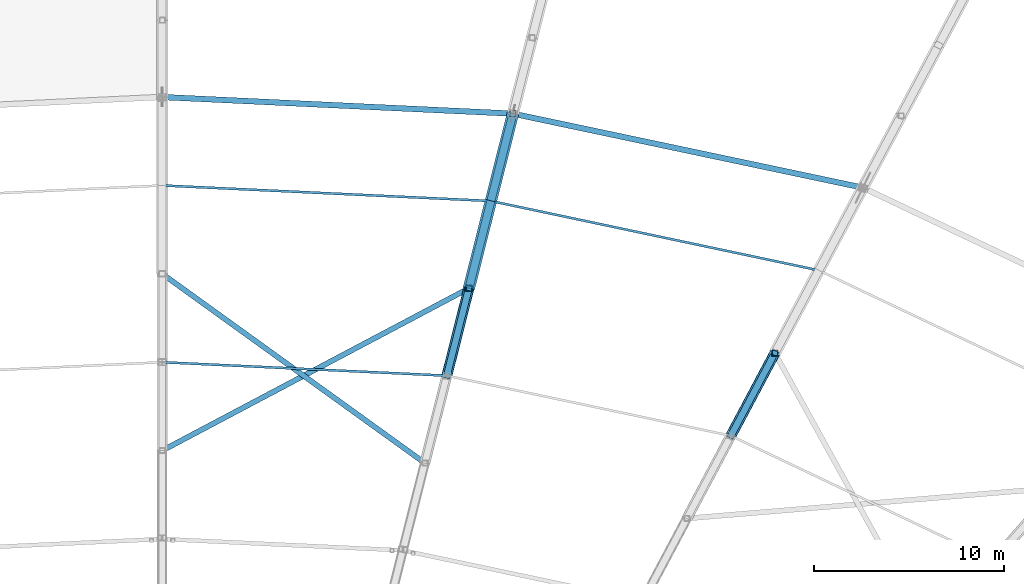
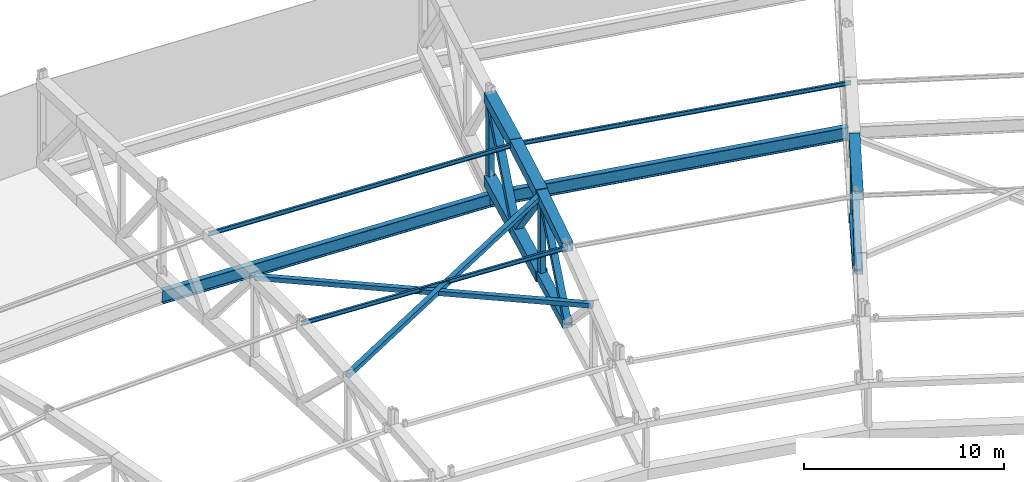
# One storey, part 80 of 162: 20 members, 2 beams.
"""IFC4 building model written with IfcOpenShell, lengths in metres."""

from ifc_helpers import new_model, si_unit, direction, frame, origin, origin_2d, place, context, subcontext, project, spatial, hollow_rectangle, i_section, extrude, material, material_profile, profile_set, type_object, element, save


model = new_model("IFC4")

# Units and contexts
model_context = context("Model", 3, precision=1e-05, world=origin(), true_north=direction((0.0, 1.0)))
body_context = subcontext(model_context, "Body", "Model", "MODEL_VIEW")
ifc_project = project(units=[si_unit("LENGTHUNIT", "METRE"), si_unit("AREAUNIT", "SQUARE_METRE"), si_unit("VOLUMEUNIT", "CUBIC_METRE"), si_unit("PLANEANGLEUNIT", "RADIAN"), si_unit("MASSUNIT", "GRAM", prefix="KILO")], contexts=[model_context])

# Site, building, storey
site_placement = place(None, origin())
site = spatial("IfcSite", under=ifc_project, at=site_placement, CompositionType="ELEMENT")
building_placement = place(site_placement, origin())
building = spatial("IfcBuilding", under=site, at=building_placement, Name="Kazemori Nagisa Stadium", CompositionType="ELEMENT")
storey_placement = place(building_placement, frame((0.0, 0.0, 36.719970703125)))
storey = spatial("IfcBuildingStorey", under=building, at=storey_placement, Name="RF", CompositionType="ELEMENT", Elevation=36.719970703125)

# Beams
ifc_material_1 = material(Name="Steel SN490B", Category="steel")
ifc_material_profile_1 = material_profile(ifc_material_1, i_section(OverallWidth=0.300048828125, OverallDepth=0.800048828125, WebThickness=0.013916015625, FlangeThickness=0.02587890625, FilletRadius=0.01806640625, at=origin_2d()), Name="H-800x300x14x26")
ifc_profile_set_1 = profile_set([ifc_material_profile_1], Name="Steel SN490B")
beam_type = type_object("IfcBeamType", Name="Beam_BG-H800", PredefinedType="BEAM", material=ifc_profile_set_1)
beam_1_placement = place(storey_placement, frame((159.81201171875, 171.19921875, -0.679931640625), z_axis=(-0.978345149833, 0.206980114499, 0.0), x_axis=(-0.206980114499, -0.978345149833, 0.0)))
element("IfcBeam", 1, at=beam_1_placement, inside=storey, type_object=beam_type, Name="Ring girder BG-H800 RF R2-06", PredefinedType="BEAM", context=body_context, shape_type="SweptSolid", body=[
    extrude(i_section(OverallWidth=0.300048828125, OverallDepth=0.800048828125, WebThickness=0.013916015625, FlangeThickness=0.02587890625, FilletRadius=0.01806640625, at=origin_2d()), origin(), (0.0, 0.0, 1.0), 18.791259765625),
])
beam_2_placement = place(storey_placement, frame((141.427734375, 175.088623046875, -0.679931640625), z_axis=(-0.9988839804, 0.047231278829, 0.0), x_axis=(-0.047231278829, -0.9988839804, 0.0)))
element("IfcBeam", 2, at=beam_2_placement, inside=storey, type_object=beam_type, Name="Ring girder BG-H800 RF R2-07", PredefinedType="BEAM", context=body_context, shape_type="SweptSolid", body=[
    extrude(i_section(OverallWidth=0.300048828125, OverallDepth=0.800048828125, WebThickness=0.013916015625, FlangeThickness=0.02587890625, FilletRadius=0.01806640625, at=origin_2d()), origin(), (0.0, 0.0, 1.0), 18.4482421875),
])

# Members
ifc_material_2 = material(Name="Steel STKR490", Category="steel")
ifc_material_profile_2 = material_profile(ifc_material_2, hollow_rectangle(XDim=0.280029296875, YDim=0.280029296875, WallThickness=0.010009765625, at=origin_2d()), Name="SHS-280x280x10")
ifc_profile_set_2 = profile_set([ifc_material_profile_2], Name="Steel STKR490")
member_type_1 = type_object("IfcMemberType", Name="Member_TB-SHS280", PredefinedType="BRACE", material=ifc_profile_set_2)
member_1_placement = place(storey_placement, frame((139.113525390625, 165.91015625, 6.008056640625), z_axis=(-0.883822347635, -0.467655457439, -0.01250723584), x_axis=(0.467692039625, -0.88389148433, 0.0)))
element("IfcMember", 3, at=member_1_placement, inside=storey, type_object=member_type_1, Name="Roof space truss plan brace B07-1", PredefinedType="BRACE", context=body_context, shape_type="SweptSolid", body=[
    extrude(hollow_rectangle(XDim=0.280029296875, YDim=0.280029296875, WallThickness=0.010009765625, at=origin_2d()), origin(), (0.0, 0.0, 1.0), 18.231689453125),
])
member_2_placement = place(storey_placement, frame((123.0, 166.672119140625, 6.130126953125), z_axis=(0.811031246513, -0.584246121232, -0.029745369485), x_axis=(0.584504759562, 0.811390279735, 0.0)))
element("IfcMember", 4, at=member_2_placement, inside=storey, type_object=member_type_1, Name="Roof space truss plan brace B07-2", PredefinedType="BRACE", context=body_context, shape_type="SweptSolid", body=[
    extrude(hollow_rectangle(XDim=0.280029296875, YDim=0.280029296875, WallThickness=0.010009765625, at=origin_2d()), origin(), (0.0, 0.0, 1.0), 17.0146484375),
])
ifc_material_profile_3 = material_profile(ifc_material_2, hollow_rectangle(XDim=0.360107421875, YDim=0.360107421875, WallThickness=0.013916015625, at=origin_2d()), Name="SHS-360x360x14")
ifc_profile_set_3 = profile_set([ifc_material_profile_3], Name="Steel STKR490")
member_type_2 = type_object("IfcMemberType", Name="Member_TB-SHS360", PredefinedType="BRACE", material=ifc_profile_set_3)
member_3_placement = place(storey_placement, frame((155.189208984375, 162.509033203125, 5.89111328125), z_axis=(-0.341008075506, -0.640992893936, -0.687634788505), x_axis=(0.88284131776, -0.469671382624, 0.0)))
element("IfcMember", 5, at=member_3_placement, inside=storey, type_object=member_type_2, Name="Roof space truss diagonal RT-06-6", PredefinedType="BRACE", context=body_context, shape_type="SweptSolid", body=[
    extrude(hollow_rectangle(XDim=0.360107421875, YDim=0.360107421875, WallThickness=0.013916015625, at=origin_2d()), origin(), (0.0, 0.0, 1.0), 6.778564453125),
])
member_4_placement = place(storey_placement, frame((139.113525390625, 165.91015625, 6.008056640625), z_axis=(-0.173180692413, -0.686948861781, -0.705768877943), x_axis=(0.969661184378, -0.244452832895, 0.0)))
element("IfcMember", 6, at=member_4_placement, inside=storey, type_object=member_type_2, Name="Roof space truss diagonal RT-07-6", PredefinedType="BRACE", context=body_context, shape_type="SweptSolid", body=[
    extrude(hollow_rectangle(XDim=0.360107421875, YDim=0.360107421875, WallThickness=0.013916015625, at=origin_2d()), origin(), (0.0, 0.0, 1.0), 6.6806640625),
])
ifc_material_profile_4 = material_profile(ifc_material_2, hollow_rectangle(XDim=0.419921875, YDim=0.419921875, WallThickness=0.01611328125, at=origin_2d()), Name="SHS-420x420x16")
ifc_profile_set_4 = profile_set([ifc_material_profile_4], Name="Steel STKR490")
member_type_3 = type_object("IfcMemberType", Name="Member_TB-SHS420", PredefinedType="BRACE", material=ifc_profile_set_4)
member_5_placement = place(storey_placement, frame((141.427734375, 175.088623046875, 5.56005859375), z_axis=(-0.17123542147, -0.679232634056, -0.713667611194), x_axis=(0.969661184378, -0.244452832895, 0.0)))
element("IfcMember", 7, at=member_5_placement, inside=storey, type_object=member_type_3, Name="Roof space truss diagonal RT-07-4", PredefinedType="BRACE", context=body_context, shape_type="SweptSolid", body=[
    extrude(hollow_rectangle(XDim=0.419921875, YDim=0.419921875, WallThickness=0.01611328125, at=origin_2d()), origin(), (0.0, 0.0, 1.0), 6.756591796875),
])
member_6_placement = place(storey_placement, frame((140.270751953125, 170.499267578125, 0.738037109375), z_axis=(-0.163375423461, -0.647883509451, 0.744013057137), x_axis=(0.969645872336, -0.24451356253, 0.0)))
element("IfcMember", 8, at=member_6_placement, inside=storey, type_object=member_type_3, Name="Roof space truss diagonal RT-07-5", PredefinedType="BRACE", context=body_context, shape_type="SweptSolid", body=[
    extrude(hollow_rectangle(XDim=0.419921875, YDim=0.419921875, WallThickness=0.01611328125, at=origin_2d()), origin(), (0.0, 0.0, 1.0), 7.083251953125),
])
ifc_material_profile_5 = material_profile(ifc_material_2, hollow_rectangle(XDim=0.52001953125, YDim=0.52001953125, WallThickness=0.01904296875, at=origin_2d()), Name="SHS-520x520x19")
ifc_profile_set_5 = profile_set([ifc_material_profile_5], Name="Steel STKR490")
member_type_4 = type_object("IfcMemberType", Name="Member_TC-SHS520", PredefinedType="CHORD", material=ifc_profile_set_5)
member_7_placement = place(storey_placement, frame((155.189208984375, 162.509033203125, 0.97314453125), z_axis=(-0.469033146565, -0.881641625414, 0.052114794063), x_axis=(0.88284131776, -0.469671382624, 0.0)))
element("IfcMember", 9, at=member_7_placement, inside=storey, type_object=member_type_4, Name="Roof space truss bottom chord RT-06-6", PredefinedType="CHORD", context=body_context, shape_type="SweptSolid", body=[
    extrude(hollow_rectangle(XDim=0.52001953125, YDim=0.52001953125, WallThickness=0.01904296875, at=origin_2d()), origin(), (0.0, 0.0, 1.0), 4.92822265625),
])
member_8_placement = place(storey_placement, frame((139.113525390625, 165.91015625, 1.01513671875), z_axis=(-0.244032739643, -0.967994817433, 0.058600814035), x_axis=(0.969661184378, -0.244452832895, 0.0)))
element("IfcMember", 10, at=member_8_placement, inside=storey, type_object=member_type_4, Name="Roof space truss bottom chord RT-07-6", PredefinedType="CHORD", context=body_context, shape_type="SweptSolid", body=[
    extrude(hollow_rectangle(XDim=0.52001953125, YDim=0.52001953125, WallThickness=0.01904296875, at=origin_2d()), origin(), (0.0, 0.0, 1.0), 4.7412109375),
])
ifc_material_profile_6 = material_profile(ifc_material_2, hollow_rectangle(XDim=0.56005859375, YDim=0.56005859375, WallThickness=0.02001953125, at=origin_2d()), Name="SHS-560x560x20")
ifc_profile_set_6 = profile_set([ifc_material_profile_6], Name="Steel STKR490")
member_type_5 = type_object("IfcMemberType", Name="Member_TC-SHS560", PredefinedType="CHORD", material=ifc_profile_set_6)
member_9_placement = place(storey_placement, frame((155.189208984375, 162.509033203125, 5.89111328125), z_axis=(-0.469572368047, -0.882655200057, -0.020532632063), x_axis=(0.88284131776, -0.469671382624, 0.0)))
element("IfcMember", 11, at=member_9_placement, inside=storey, type_object=member_type_5, Name="Roof space truss top chord RT-06-6", PredefinedType="CHORD", context=body_context, shape_type="SweptSolid", body=[
    extrude(hollow_rectangle(XDim=0.56005859375, YDim=0.56005859375, WallThickness=0.02001953125, at=origin_2d()), origin(), (0.0, 0.0, 1.0), 4.922607421875),
])
member_10_placement = place(storey_placement, frame((139.113525390625, 165.91015625, 6.008056640625), z_axis=(-0.244430511317, -0.969572642273, -0.01351356699), x_axis=(0.969661184378, -0.244452832895, 0.0)))
element("IfcMember", 12, at=member_10_placement, inside=storey, type_object=member_type_5, Name="Roof space truss top chord RT-07-6", PredefinedType="CHORD", context=body_context, shape_type="SweptSolid", body=[
    extrude(hollow_rectangle(XDim=0.56005859375, YDim=0.56005859375, WallThickness=0.02001953125, at=origin_2d()), origin(), (0.0, 0.0, 1.0), 4.7333984375),
])
ifc_material_profile_7 = material_profile(ifc_material_2, hollow_rectangle(XDim=0.6201171875, YDim=0.6201171875, WallThickness=0.02197265625, at=origin_2d()), Name="SHS-620x620x22")
ifc_profile_set_7 = profile_set([ifc_material_profile_7], Name="Steel STKR490")
member_type_6 = type_object("IfcMemberType", Name="Member_TC-SHS620", PredefinedType="CHORD", material=ifc_profile_set_7)
member_11_placement = place(storey_placement, frame((141.427734375, 175.088623046875, 5.56005859375), z_axis=(-0.243953496633, -0.967680487385, 0.063884002811), x_axis=(0.969661184378, -0.244452832895, 0.0)))
element("IfcMember", 13, at=member_11_placement, inside=storey, type_object=member_type_6, Name="Roof space truss top chord RT-07-4", PredefinedType="CHORD", context=body_context, shape_type="SweptSolid", body=[
    extrude(hollow_rectangle(XDim=0.6201171875, YDim=0.6201171875, WallThickness=0.02197265625, at=origin_2d()), origin(), (0.0, 0.0, 1.0), 4.74267578125),
])
member_12_placement = place(storey_placement, frame((141.427734375, 175.088623046875, 0.47998046875), z_axis=(-0.244090285494, -0.968223082235, 0.054442589527), x_axis=(0.969661184378, -0.244452832895, 0.0)))
element("IfcMember", 14, at=member_12_placement, inside=storey, type_object=member_type_6, Name="Roof space truss bottom chord RT-07-4", PredefinedType="CHORD", context=body_context, shape_type="SweptSolid", body=[
    extrude(hollow_rectangle(XDim=0.6201171875, YDim=0.6201171875, WallThickness=0.02197265625, at=origin_2d()), origin(), (0.0, 0.0, 1.0), 4.739990234375),
])
member_13_placement = place(storey_placement, frame((140.270751953125, 170.499267578125, 5.863037109375), z_axis=(-0.244398855673, -0.969190989468, 0.030627198369), x_axis=(0.969645872336, -0.24451356253, 0.0)))
element("IfcMember", 15, at=member_13_placement, inside=storey, type_object=member_type_6, Name="Roof space truss top chord RT-07-5", PredefinedType="CHORD", context=body_context, shape_type="SweptSolid", body=[
    extrude(hollow_rectangle(XDim=0.6201171875, YDim=0.6201171875, WallThickness=0.02197265625, at=origin_2d()), origin(), (0.0, 0.0, 1.0), 4.735107421875),
])
member_14_placement = place(storey_placement, frame((140.270751953125, 170.499267578125, 0.738037109375), z_axis=(-0.244095540584, -0.967988159567, 0.058449037671), x_axis=(0.969645872336, -0.24451356253, 0.0)))
element("IfcMember", 16, at=member_14_placement, inside=storey, type_object=member_type_6, Name="Roof space truss bottom chord RT-07-5", PredefinedType="CHORD", context=body_context, shape_type="SweptSolid", body=[
    extrude(hollow_rectangle(XDim=0.6201171875, YDim=0.6201171875, WallThickness=0.02197265625, at=origin_2d()), origin(), (0.0, 0.0, 1.0), 4.740966796875),
])
ifc_material_profile_8 = material_profile(ifc_material_1, i_section(OverallWidth=0.125, OverallDepth=0.25, WebThickness=0.006103515625, FlangeThickness=0.009033203125, FilletRadius=0.008056640625, at=origin_2d()), Name="H-250x125x6x9")
ifc_profile_set_8 = profile_set([ifc_material_profile_8], Name="Steel SN490B")
member_type_7 = type_object("IfcMemberType", Name="Member_TP-H250", PredefinedType="PURLIN", material=ifc_profile_set_8)
member_15_placement = place(storey_placement, frame((157.50048828125, 166.854248046875, 5.800048828125), z_axis=(-0.978340368603, 0.206971812212, 0.003576605998), x_axis=(-0.206973136028, -0.978346626183, 0.0)))
element("IfcMember", 17, at=member_15_placement, inside=storey, type_object=member_type_7, Name="Roof purlin TP-H250 B06-P4", PredefinedType="PURLIN", context=body_context, shape_type="SweptSolid", body=[
    extrude(i_section(OverallWidth=0.125, OverallDepth=0.25, WebThickness=0.006103515625, FlangeThickness=0.009033203125, FilletRadius=0.008056640625, at=origin_2d()), origin(), (0.0, 0.0, 1.0), 17.611083984375),
])
member_16_placement = place(storey_placement, frame((140.270751953125, 170.499267578125, 5.863037109375), z_axis=(-0.998876451706, 0.047232039849, 0.003868932412), x_axis=(-0.047232393353, -0.9988839277, 0.0)))
element("IfcMember", 18, at=member_16_placement, inside=storey, type_object=member_type_7, Name="Roof purlin TP-H250 B07-P4", PredefinedType="PURLIN", context=body_context, shape_type="SweptSolid", body=[
    extrude(i_section(OverallWidth=0.125, OverallDepth=0.25, WebThickness=0.006103515625, FlangeThickness=0.009033203125, FilletRadius=0.008056640625, at=origin_2d()), origin(), (0.0, 0.0, 1.0), 17.290283203125),
])
member_17_placement = place(storey_placement, frame((137.95654296875, 161.32080078125, 5.944091796875), z_axis=(-0.998826102637, 0.047233182386, 0.010744448461), x_axis=(-0.047235908996, -0.998883761456, 0.0)))
element("IfcMember", 19, at=member_17_placement, inside=storey, type_object=member_type_7, Name="Roof purlin TP-H250 B07-P6", PredefinedType="PURLIN", context=body_context, shape_type="SweptSolid", body=[
    extrude(i_section(OverallWidth=0.125, OverallDepth=0.25, WebThickness=0.006103515625, FlangeThickness=0.009033203125, FilletRadius=0.008056640625, at=origin_2d()), origin(), (0.0, 0.0, 1.0), 14.97412109375),
])
ifc_material_profile_9 = material_profile(ifc_material_2, hollow_rectangle(XDim=0.320068359375, YDim=0.320068359375, WallThickness=0.011962890625, at=origin_2d()), Name="SHS-320x320x12")
ifc_profile_set_9 = profile_set([ifc_material_profile_9], Name="Steel STKR490")
member_type_8 = type_object("IfcMemberType", Name="Member_TS-SHS320", PredefinedType="STRUT", material=ifc_profile_set_9)
member_18_placement = place(storey_placement, frame((155.189208984375, 162.509033203125, 0.97314453125), z_axis=(0.0, 0.0, 1.0), x_axis=(1.0, 0.0, 0.0)))
element("IfcMember", 20, at=member_18_placement, inside=storey, type_object=member_type_8, Name="Roof space truss strut RT-06-6", PredefinedType="STRUT", context=body_context, shape_type="SweptSolid", body=[
    extrude(hollow_rectangle(XDim=0.320068359375, YDim=0.320068359375, WallThickness=0.011962890625, at=origin_2d()), origin(), (0.0, 0.0, 1.0), 4.91796875),
])
member_19_placement = place(storey_placement, frame((141.427734375, 175.088623046875, 0.47998046875), z_axis=(0.0, 0.0, 1.0), x_axis=(1.0, 0.0, 0.0)))
element("IfcMember", 21, at=member_19_placement, inside=storey, type_object=member_type_8, Name="Roof space truss strut RT-07-4", PredefinedType="STRUT", context=body_context, shape_type="SweptSolid", body=[
    extrude(hollow_rectangle(XDim=0.320068359375, YDim=0.320068359375, WallThickness=0.011962890625, at=origin_2d()), origin(), (0.0, 0.0, 1.0), 5.080078125),
])
member_20_placement = place(storey_placement, frame((139.113525390625, 165.91015625, 1.01513671875), z_axis=(0.0, 0.0, 1.0), x_axis=(1.0, 0.0, 0.0)))
element("IfcMember", 22, at=member_20_placement, inside=storey, type_object=member_type_8, Name="Roof space truss strut RT-07-6", PredefinedType="STRUT", context=body_context, shape_type="SweptSolid", body=[
    extrude(hollow_rectangle(XDim=0.320068359375, YDim=0.320068359375, WallThickness=0.011962890625, at=origin_2d()), origin(), (0.0, 0.0, 1.0), 4.992919921875),
])

save(model, "model.ifc")
